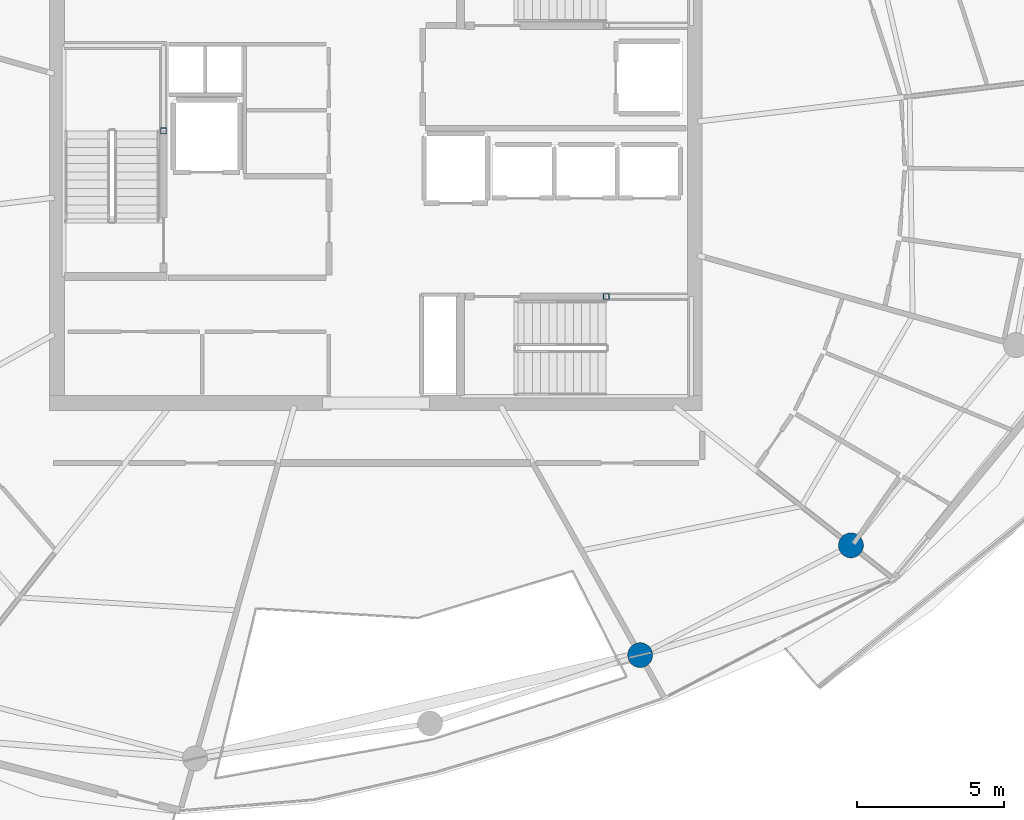
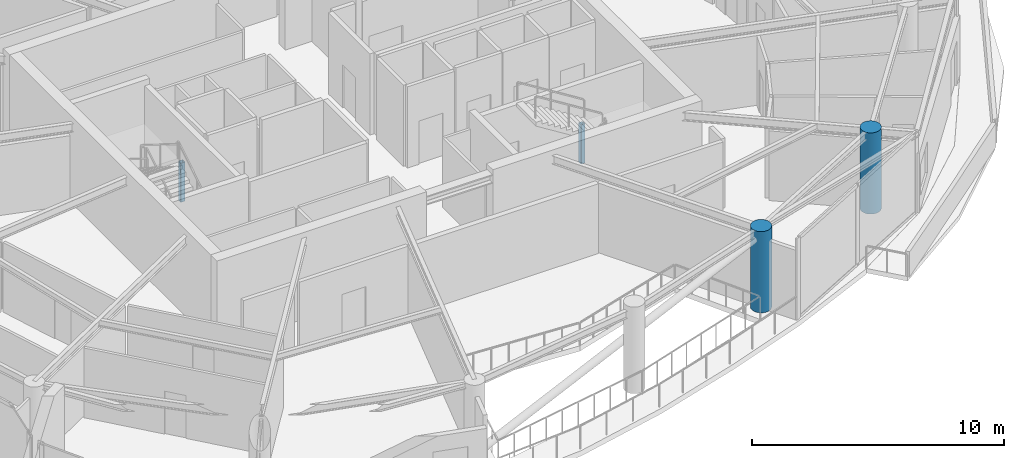
# One storey, part 2 of 22: 4 columns.
"""IFC4 building model written with IfcOpenShell, lengths in metres."""

from ifc_helpers import new_model, si_unit, direction, frame, origin, origin_2d, place, context, subcontext, project, spatial, hollow_rectangle, circle, extrude, material, material_profile, profile_set, type_object, element, save


model = new_model("IFC4")

# Units and contexts
model_context = context("Model", 3, precision=1e-05, world=origin(), true_north=direction((0.0, 1.0)))
body_context = subcontext(model_context, "Body", "Model", "MODEL_VIEW")
ifc_project = project(units=[si_unit("LENGTHUNIT", "METRE"), si_unit("AREAUNIT", "SQUARE_METRE"), si_unit("VOLUMEUNIT", "CUBIC_METRE"), si_unit("PLANEANGLEUNIT", "RADIAN"), si_unit("MASSUNIT", "GRAM", prefix="KILO")], contexts=[model_context])

# Site, building, storey
site_placement = place(None, origin())
site = spatial("IfcSite", under=ifc_project, at=site_placement, CompositionType="ELEMENT")
building_placement = place(site_placement, origin())
building = spatial("IfcBuilding", under=site, at=building_placement, Name="Kazma Halo Residences", CompositionType="ELEMENT")
storey_placement = place(building_placement, frame((0.0, 0.0, 330.5)))
storey = spatial("IfcBuildingStorey", under=building, at=storey_placement, Name="L83", CompositionType="ELEMENT", Elevation=330.5)

# Columns
ifc_material_1 = material(Name="Steel S355", Category="steel")
ifc_material_profile_1 = material_profile(ifc_material_1, hollow_rectangle(XDim=0.199951171875, YDim=0.199951171875, WallThickness=0.010009765625, InnerFilletRadius=0.010009765625, OuterFilletRadius=0.02001953125, at=origin_2d()), Name="SHS200x200x10")
ifc_profile_set_1 = profile_set([ifc_material_profile_1], Name="Steel S355")
column_type_1 = type_object("IfcColumnType", Name="COL-LP-SHS200", PredefinedType="COLUMN", material=ifc_profile_set_1)
for number, where, z_axis, x_axis, name in (
    (1, (41.179931640625, 43.030029296875, 0.0), (0.0, 0.0, 1.0), (1.0, 0.0, 0.0), "L83 ST-01 landing pilaster 1"),
    (2, (56.280029296875, 37.3798828125, 0.0), (0.0, 0.0, 1.0), (1.0, 0.0, 0.0), "L83 ST-03 landing pilaster 1"),
):
    element("IfcColumn", number, at=place(storey_placement, frame(where, z_axis=z_axis, x_axis=x_axis)), inside=storey, type_object=column_type_1, Name=name, PredefinedType="COLUMN", context=body_context, shape_type="SweptSolid", body=[
        extrude(hollow_rectangle(XDim=0.199951171875, YDim=0.199951171875, WallThickness=0.010009765625, InnerFilletRadius=0.010009765625, OuterFilletRadius=0.02001953125, at=origin_2d()), origin(), (0.0, 0.0, 1.0), 1.89501953125),
    ])
ifc_material_2 = material(Name="Concrete C60/75", Category="concrete")
ifc_material_profile_2 = material_profile(ifc_material_2, circle(Radius=0.425048828125, at=origin_2d()), Name="CIRC850")
ifc_profile_set_2 = profile_set([ifc_material_profile_2], Name="Concrete C60/75")
column_type_2 = type_object("IfcColumnType", Name="COL-PERIM-850", PredefinedType="COLUMN", material=ifc_profile_set_2)
for number, where, z_axis, x_axis, name in (
    (3, (57.436767578125, 25.1494140625, 0.0), (0.0, 0.0, 1.0), (1.0, 0.0, 0.0), "L83 perimeter ring column P13"),
    (4, (64.626220703125, 28.89306640625, 0.0), (0.0, 0.0, 1.0), (1.0, 0.0, 0.0), "L83 perimeter ring column P14"),
):
    element("IfcColumn", number, at=place(storey_placement, frame(where, z_axis=z_axis, x_axis=x_axis)), inside=storey, type_object=column_type_2, Name=name, PredefinedType="COLUMN", context=body_context, shape_type="SweptSolid", body=[
        extrude(circle(Radius=0.425048828125, at=origin_2d()), origin(), (0.0, 0.0, 1.0), 3.93994140625),
    ])

save(model, "model.ifc")
